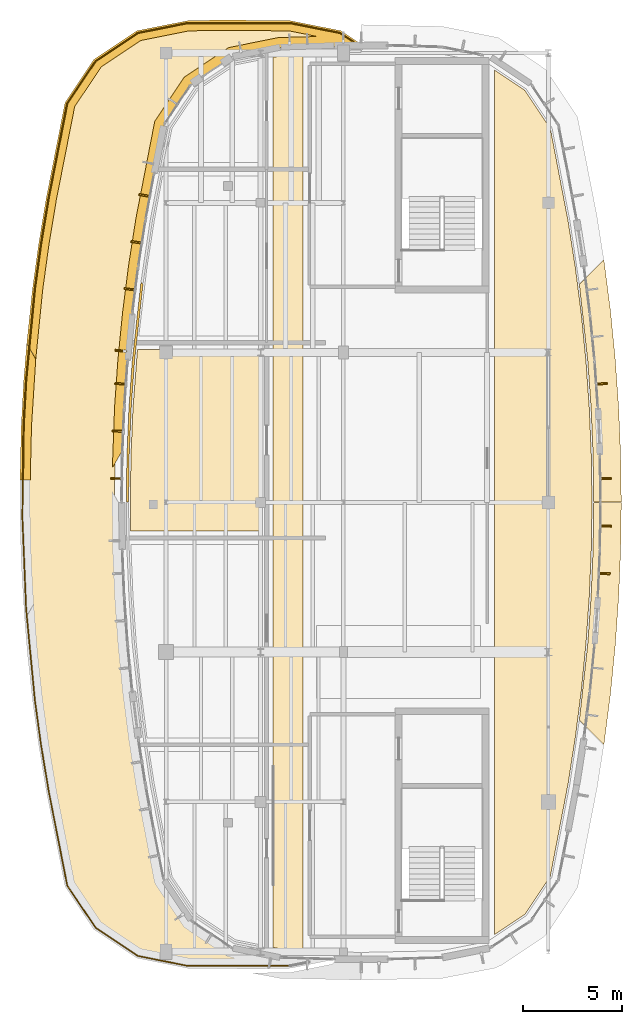
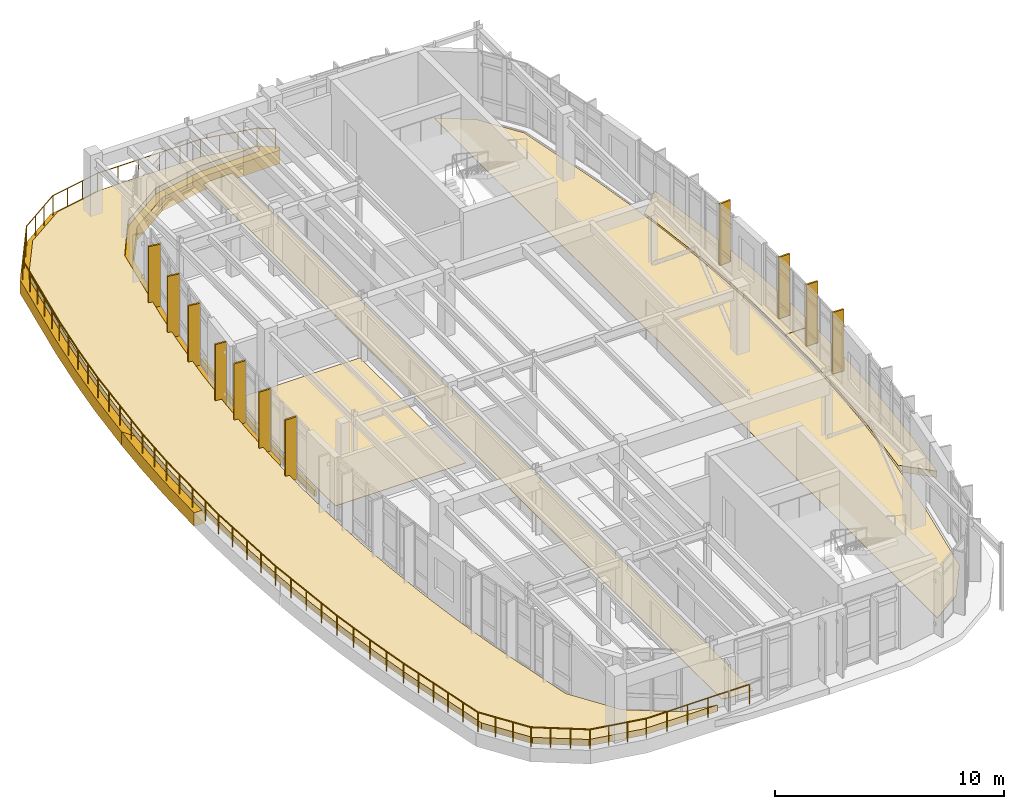
# One storey, part 19 of 20: 20 coverings, 1 railing, 1 shading device.
"""IFC4 building model written with IfcOpenShell, lengths in metres."""

from ifc_helpers import new_model, si_unit, direction, frame, origin, origin_2d, place, context, subcontext, project, spatial, polyline, rectangle, circle, outline, extrude, material, layer, layer_set, type_object, element, save


model = new_model("IFC4")

# Units and contexts
model_context = context("Model", 3, precision=1e-05, world=origin(), true_north=direction((0.0, 1.0)))
body_context = subcontext(model_context, "Body", "Model", "MODEL_VIEW")
ifc_project = project(units=[si_unit("LENGTHUNIT", "METRE"), si_unit("AREAUNIT", "SQUARE_METRE"), si_unit("VOLUMEUNIT", "CUBIC_METRE"), si_unit("PLANEANGLEUNIT", "RADIAN"), si_unit("MASSUNIT", "GRAM", prefix="KILO")], contexts=[model_context])

# Site, building, storey
site_placement = place(None, origin())
site = spatial("IfcSite", under=ifc_project, at=site_placement, CompositionType="ELEMENT")
building_placement = place(site_placement, origin())
building = spatial("IfcBuilding", under=site, at=building_placement, Name="Corveleigh Park Community Centre", CompositionType="ELEMENT")
storey_placement = place(building_placement, frame((0.0, 0.0, 16.199951171875)))
storey = spatial("IfcBuildingStorey", under=building, at=storey_placement, Name="L04", CompositionType="ELEMENT", Elevation=16.199951171875)

# Coverings
ifc_material_1 = material(Name="Warm buff ribbed architectural cladding", Category="masonry")
ifc_layer_1 = layer(ifc_material_1, 0.0849609375, Name="Warm buff ribbed architectural cladding", Category="masonry")
ifc_layer_set_1 = layer_set([ifc_layer_1], Name="Warm buff ribbed architectural cladding")
covering_type_1 = type_object("IfcCoveringType", Name="COV-CLD-BUF", PredefinedType="CLADDING", material=ifc_layer_set_1)
covering_1_placement = place(storey_placement, origin())
element("IfcCovering", 1, at=covering_1_placement, inside=storey, type_object=covering_type_1, Name="V4 L04 Brise-soleil blade 495", PredefinedType="CLADDING", context=body_context, shape_type="SweptSolid", body=[
    extrude(outline(polyline([(170.949951171875, 77.843017578125), (170.946044921875, 77.758056640625), (171.52587890625, 77.73291015625), (171.529052734375, 77.818115234375), (170.949951171875, 77.843017578125)])), origin(), (0.0, 0.0, 1.0), 3.31201171875),
])
covering_2_placement = place(storey_placement, origin())
element("IfcCovering", 2, at=covering_2_placement, inside=storey, type_object=covering_type_1, Name="V4 L04 Brise-soleil blade 496", PredefinedType="CLADDING", context=body_context, shape_type="SweptSolid", body=[
    extrude(outline(polyline([(171.01708984375, 80.241943359375), (171.014892578125, 80.156982421875), (171.594970703125, 80.14892578125), (171.596923828125, 80.23388671875), (171.01708984375, 80.241943359375)])), origin(), (0.0, 0.0, 1.0), 3.31201171875),
])
covering_3_placement = place(storey_placement, origin())
element("IfcCovering", 3, at=covering_3_placement, inside=storey, type_object=covering_type_1, Name="V4 L04 Brise-soleil blade 497", PredefinedType="CLADDING", context=body_context, shape_type="SweptSolid", body=[
    extrude(outline(polyline([(171.014892578125, 82.64306640625), (171.01708984375, 82.55810546875), (171.596923828125, 82.56591796875), (171.594970703125, 82.65087890625), (171.014892578125, 82.64306640625)])), origin(), (0.0, 0.0, 1.0), 3.31201171875),
])
covering_4_placement = place(storey_placement, origin())
element("IfcCovering", 4, at=covering_4_placement, inside=storey, type_object=covering_type_1, Name="V4 L04 Brise-soleil blade 498", PredefinedType="CLADDING", context=body_context, shape_type="SweptSolid", body=[
    extrude(outline(polyline([(170.81005859375, 87.43798828125), (170.81591796875, 87.35400390625), (171.39404296875, 87.39404296875), (171.387939453125, 87.47900390625), (170.81005859375, 87.43798828125)])), origin(), (0.0, 0.0, 1.0), 3.31201171875),
])
covering_5_placement = place(storey_placement, origin())
element("IfcCovering", 5, at=covering_5_placement, inside=storey, type_object=covering_type_1, Name="V4 L04 Brise-soleil blade 514", PredefinedType="CLADDING", context=body_context, shape_type="SweptSolid", body=[
    extrude(outline(polyline([(148.194091796875, 96.875), (148.208984375, 96.958984375), (147.638916015625, 97.06396484375), (147.6240234375, 96.98095703125), (148.194091796875, 96.875)])), origin(), (0.0, 0.0, 1.0), 3.337158203125),
])
covering_6_placement = place(storey_placement, origin())
element("IfcCovering", 6, at=covering_6_placement, inside=storey, type_object=covering_type_1, Name="V4 L04 Brise-soleil blade 515", PredefinedType="CLADDING", context=body_context, shape_type="SweptSolid", body=[
    extrude(outline(polyline([(147.791015625, 94.508056640625), (147.803955078125, 94.592041015625), (147.23095703125, 94.681884765625), (147.218017578125, 94.597900390625), (147.791015625, 94.508056640625)])), origin(), (0.0, 0.0, 1.0), 3.337158203125),
])
covering_7_placement = place(storey_placement, origin())
element("IfcCovering", 7, at=covering_7_placement, inside=storey, type_object=covering_type_1, Name="V4 L04 Brise-soleil blade 516", PredefinedType="CLADDING", context=body_context, shape_type="SweptSolid", body=[
    extrude(outline(polyline([(147.4541015625, 92.131103515625), (147.465087890625, 92.216064453125), (146.889892578125, 92.2890625), (146.87890625, 92.205078125), (147.4541015625, 92.131103515625)])), origin(), (0.0, 0.0, 1.0), 3.337158203125),
])
covering_8_placement = place(storey_placement, origin())
element("IfcCovering", 8, at=covering_8_placement, inside=storey, type_object=covering_type_1, Name="V4 L04 Brise-soleil blade 517", PredefinedType="CLADDING", context=body_context, shape_type="SweptSolid", body=[
    extrude(outline(polyline([(146.958984375, 89.02294921875), (146.967041015625, 89.10693359375), (146.43505859375, 89.159912109375), (146.426025390625, 89.074951171875), (146.958984375, 89.02294921875)])), origin(), (0.0, 0.0, 1.0), 3.337158203125),
])
covering_9_placement = place(storey_placement, origin())
element("IfcCovering", 9, at=covering_9_placement, inside=storey, type_object=covering_type_1, Name="V4 L04 Brise-soleil blade 518", PredefinedType="CLADDING", context=body_context, shape_type="SweptSolid", body=[
    extrude(outline(polyline([(146.98388671875, 87.35400390625), (146.989990234375, 87.43798828125), (146.412109375, 87.47900390625), (146.406005859375, 87.39404296875), (146.98388671875, 87.35400390625)])), origin(), (0.0, 0.0, 1.0), 3.337158203125),
])
covering_10_placement = place(storey_placement, origin())
element("IfcCovering", 10, at=covering_10_placement, inside=storey, type_object=covering_type_1, Name="V4 L04 Brise-soleil blade 519", PredefinedType="CLADDING", context=body_context, shape_type="SweptSolid", body=[
    extrude(outline(polyline([(146.85009765625, 84.95703125), (146.85400390625, 85.0419921875), (146.27392578125, 85.06689453125), (146.27099609375, 84.98193359375), (146.85009765625, 84.95703125)])), origin(), (0.0, 0.0, 1.0), 3.337158203125),
])
covering_11_placement = place(storey_placement, origin())
element("IfcCovering", 11, at=covering_11_placement, inside=storey, type_object=covering_type_1, Name="V4 L04 Brise-soleil blade 520", PredefinedType="CLADDING", context=body_context, shape_type="SweptSolid", body=[
    extrude(outline(polyline([(146.782958984375, 82.55810546875), (146.784912109375, 82.64306640625), (146.205078125, 82.65087890625), (146.202880859375, 82.56591796875), (146.782958984375, 82.55810546875)])), origin(), (0.0, 0.0, 1.0), 3.337158203125),
])
ifc_material_2 = material(Name="White architectural fascia cladding", Category="masonry")
ifc_layer_2 = layer(ifc_material_2, 0.074951171875, Name="White architectural fascia cladding", Category="masonry")
ifc_layer_set_2 = layer_set([ifc_layer_2], Name="White architectural fascia cladding")
covering_type_2 = type_object("IfcCoveringType", Name="COV-CLD-WHT", PredefinedType="CLADDING", material=ifc_layer_set_2)
covering_12_placement = place(storey_placement, frame((0.0, 0.0, -0.679931640625)))
element("IfcCovering", 12, at=covering_12_placement, inside=storey, type_object=covering_type_2, Name="Step 4 STEM and Language Terrace Sweeping White Edge Band 1", PredefinedType="CLADDING", context=body_context, shape_type="SweptSolid", body=[
    extrude(outline(polyline([(141.93310546875, 89.468017578125), (142.222900390625, 92.23388671875), (142.541015625, 94.5380859375), (142.919921875, 96.8310546875), (143.87109375, 101.674072265625), (145.3330078125, 103.866943359375), (147.51904296875, 105.326904296875), (150.094970703125, 105.840087890625), (151.83203125, 105.875), (155.31201171875, 105.839111328125), (157.881103515625, 105.326904296875), (158.737060546875, 104.756103515625), (158.62109375, 104.554931640625), (154.802001953125, 104.47509765625), (152.364013671875, 103.989990234375), (150.2919921875, 102.60400390625), (148.909912109375, 100.537109375), (147.987060546875, 95.735107421875), (147.616943359375, 93.363037109375), (147.31298828125, 90.98193359375), (147.076904296875, 88.593017578125), (146.907958984375, 86.198974609375), (146.818115234375, 84.087890625), (146.277099609375, 83.14892578125), (146.388916015625, 86.235107421875), (146.55908203125, 88.64306640625), (146.797119140625, 91.047119140625), (147.10107421875, 93.429931640625), (147.47412109375, 95.81591796875), (148.427978515625, 100.73388671875), (149.924072265625, 102.971923828125), (152.1640625, 104.470947265625), (154.7041015625, 104.986083984375), (156.68896484375, 105.034912109375), (155.25390625, 105.320068359375), (151.833984375, 105.35498046875), (150.14794921875, 105.321044921875), (147.720947265625, 104.837890625), (145.70703125, 103.492919921875), (144.363037109375, 101.47900390625), (143.430908203125, 96.738037109375), (143.054931640625, 94.458984375), (142.739013671875, 92.169921875), (142.389892578125, 88.676025390625), (141.93310546875, 89.468017578125)])), origin(), (0.0, 0.0, 1.0), 0.719970703125),
])
covering_13_placement = place(storey_placement, frame((0.0, 0.0, -0.679931640625)))
element("IfcCovering", 13, at=covering_13_placement, inside=storey, type_object=covering_type_2, Name="Step 4 STEM and Language Terrace Sweeping White Edge Band 2", PredefinedType="CLADDING", context=body_context, shape_type="SweptSolid", body=[
    extrude(outline(polyline([(141.590087890625, 82.5439453125), (141.653076171875, 85.285888671875), (141.780029296875, 87.60595703125), (141.931884765625, 89.4541015625), (142.388916015625, 88.6630859375), (142.173095703125, 85.263916015625), (142.110107421875, 82.5439453125), (141.590087890625, 82.5439453125)])), origin(), (0.0, 0.0, 1.0), 0.719970703125),
])
covering_14_placement = place(storey_placement, frame((0.0, 0.0, -0.300048828125)))
element("IfcCovering", 14, at=covering_14_placement, inside=storey, type_object=covering_type_2, Name="V4 L04 Horizontal Sun-Hood 1", PredefinedType="CLADDING", context=body_context, shape_type="SweptSolid", body=[
    extrude(outline(polyline([(171.218017578125, 93.7060546875), (171.553955078125, 91.117919921875), (171.794921875, 88.6689453125), (171.966064453125, 86.2451171875), (172.068115234375, 83.845947265625), (172.10302734375, 81.406982421875), (170.702880859375, 81.406005859375), (170.6689453125, 83.791015625), (170.568115234375, 86.179931640625), (170.39892578125, 88.56494140625), (169.970947265625, 92.4599609375), (171.218017578125, 93.7060546875)])), origin(), (0.0, 0.0, 1.0), 0.340087890625),
])
covering_15_placement = place(storey_placement, frame((0.0, 0.0, -0.300048828125)))
element("IfcCovering", 15, at=covering_15_placement, inside=storey, type_object=covering_type_2, Name="V4 L04 Horizontal Sun-Hood 4", PredefinedType="CLADDING", context=body_context, shape_type="SweptSolid", body=[
    extrude(outline(polyline([(147.01611328125, 83.794921875), (147.117919921875, 86.18701171875), (147.285888671875, 88.574951171875), (147.72607421875, 92.56298828125), (147.8291015625, 92.4599609375), (147.40087890625, 88.56494140625), (147.23193359375, 86.179931640625), (147.131103515625, 83.791015625), (147.096923828125, 81.406005859375), (146.98193359375, 81.406005859375), (147.01611328125, 83.794921875)])), origin(), (0.0, 0.0, 1.0), 0.340087890625),
])
covering_16_placement = place(storey_placement, frame((0.0, 0.0, -0.300048828125)))
element("IfcCovering", 16, at=covering_16_placement, inside=storey, type_object=covering_type_2, Name="V4 L04 Horizontal Sun-Hood 8", PredefinedType="CLADDING", context=body_context, shape_type="SweptSolid", body=[
    extrude(outline(polyline([(172.10302734375, 81.385009765625), (172.068115234375, 78.9541015625), (171.966064453125, 76.554931640625), (171.794921875, 74.131103515625), (171.553955078125, 71.681884765625), (171.218017578125, 69.093994140625), (169.970947265625, 70.340087890625), (170.39892578125, 74.235107421875), (170.568115234375, 76.6201171875), (170.6689453125, 79.009033203125), (170.702880859375, 81.39404296875), (172.10302734375, 81.385009765625)])), origin(), (0.0, 0.0, 1.0), 0.340087890625),
])
ifc_material_3 = material(Name="Acoustic linoleum flooring", Category="wood")
ifc_layer_3 = layer(ifc_material_3, 0.02490234375, Name="Acoustic linoleum flooring", Category="wood")
ifc_layer_set_3 = layer_set([ifc_layer_3], Name="Acoustic linoleum flooring")
covering_type_3 = type_object("IfcCoveringType", Name="COV-FLR-LIN", PredefinedType="FLOORING", material=ifc_layer_set_3)
covering_17_placement = place(storey_placement, origin())
element("IfcCovering", 17, at=covering_17_placement, inside=storey, type_object=covering_type_3, Name="Fourth Floor Learning Concourse flooring", PredefinedType="FLOORING", context=body_context, shape_type="SweptSolid", body=[
    extrude(outline(polyline([(154.43994140625, 58.820068359375), (154.43994140625, 103.97998046875), (154.85009765625, 104.06103515625), (155.9599609375, 104.095947265625), (155.9599609375, 58.7041015625), (154.85009765625, 58.739013671875), (154.43994140625, 58.820068359375)])), origin(), (0.0, 0.0, 1.0), 0.025146484375),
])
covering_18_placement = place(storey_placement, origin())
element("IfcCovering", 18, at=covering_18_placement, inside=storey, type_object=covering_type_3, Name="Citizens Advice Consultation Suite flooring", PredefinedType="FLOORING", context=body_context, shape_type="SweptSolid", body=[
    extrude(outline(polyline([(147.322021484375, 86.175048828125), (147.550048828125, 89.159912109375), (153.760009765625, 89.159912109375), (153.760009765625, 79.93994140625), (147.2080078125, 79.93994140625), (147.18701171875, 81.39990234375), (147.220947265625, 83.7890625), (147.322021484375, 86.175048828125)])), origin(), (0.0, 0.0, 1.0), 0.025146484375),
])
covering_19_placement = place(storey_placement, origin())
element("IfcCovering", 19, at=covering_19_placement, inside=storey, type_object=covering_type_3, Name="Parkside Digital Study Library flooring", PredefinedType="FLOORING", context=body_context, shape_type="SweptSolid", body=[
    extrude(outline(polyline([(170.074951171875, 90.93603515625), (170.31005859375, 88.55810546875), (170.47802734375, 86.175048828125), (170.5791015625, 83.7890625), (170.613037109375, 81.39990234375), (170.5791015625, 79.010986328125), (170.47802734375, 76.625), (170.31005859375, 74.241943359375), (170.074951171875, 71.864013671875), (169.77197265625, 69.4951171875), (169.403076171875, 67.135009765625), (168.4990234375, 62.423095703125), (167.2080078125, 60.491943359375), (165.659912109375, 59.45703125), (165.659912109375, 103.343017578125), (167.2080078125, 102.30810546875), (168.4990234375, 100.376953125), (169.403076171875, 95.6650390625), (169.77197265625, 93.304931640625), (170.074951171875, 90.93603515625)])), origin(), (0.0, 0.0, 1.0), 0.025146484375),
])
ifc_material_4 = material(Name="Extensive sedum roof build-up", Category="masonry")
ifc_layer_4 = layer(ifc_material_4, 0.35009765625, Name="Extensive sedum roof build-up", Category="masonry")
ifc_layer_set_4 = layer_set([ifc_layer_4], Name="Extensive sedum roof build-up")
covering_type_4 = type_object("IfcCoveringType", Name="COV-ROF-GRN", PredefinedType="ROOFING", material=ifc_layer_set_4)
covering_20_placement = place(storey_placement, origin())
element("IfcCovering", 20, at=covering_20_placement, inside=storey, type_object=covering_type_4, Name="Step 4 STEM and Language Terrace sedum build-up", PredefinedType="ROOFING", context=body_context, shape_type="SweptSolid", body=[
    extrude(outline(polyline([(153.8330078125, 58.1201171875), (150.132080078125, 58.14990234375), (147.6708984375, 58.639892578125), (145.613037109375, 60.012939453125), (144.239990234375, 62.070068359375), (143.302978515625, 66.839111328125), (142.926025390625, 69.12109375), (142.610107421875, 71.4140625), (142.35791015625, 73.712890625), (142.1689453125, 76.02001953125), (142.04296875, 78.330078125), (141.97998046875, 80.64306640625), (141.97998046875, 82.95703125), (142.04296875, 85.27001953125), (142.1689453125, 87.580078125), (142.35791015625, 89.886962890625), (142.610107421875, 92.18603515625), (142.926025390625, 94.47900390625), (143.302978515625, 96.760986328125), (144.239990234375, 101.530029296875), (145.613037109375, 103.5869140625), (147.6708984375, 104.9599609375), (150.134033203125, 105.450927734375), (151.833984375, 105.485107421875), (155.26806640625, 105.449951171875), (157.778076171875, 104.927978515625), (154.760009765625, 104.863037109375), (152.24609375, 104.363037109375), (149.971923828125, 102.826904296875), (148.528076171875, 100.617919921875), (147.60400390625, 95.80810546875), (147.23095703125, 93.423095703125), (146.926025390625, 91.030029296875), (146.68798828125, 88.62109375), (146.51806640625, 86.216064453125), (146.416015625, 83.81689453125), (146.382080078125, 81.405029296875), (146.416015625, 78.98388671875), (146.51904296875, 76.573974609375), (146.68896484375, 74.169921875), (146.925048828125, 71.780029296875), (147.22998046875, 69.386962890625), (147.60400390625, 66.991943359375), (148.529052734375, 62.180908203125), (150.0419921875, 59.89306640625), (152.2099609375, 58.450927734375), (153.8330078125, 58.1201171875)])), origin(), (0.0, 0.0, 1.0), 0.35009765625),
])

# Railing
ifc_material_5 = material(Name="Stainless steel 316 balustrade", Category="steel")
railing_type = type_object("IfcRailingType", Name="RLG-BAL-EXT-1100", PredefinedType="BALUSTRADE", material=ifc_material_5)
railing_placement = place(storey_placement, frame((155.294921875, 57.8798828125, 0.0)))
element("IfcRailing", 21, at=railing_placement, inside=storey, type_object=railing_type, Name="Step 4 STEM and Language Terrace guard 15", PredefinedType="BALUSTRADE", context=body_context, shape_type="SweptSolid", body=[
    extrude(circle(Radius=0.02392578125, at=origin_2d()), frame((0.0, 0.0, 1.076171875), z_axis=(-1.0, 0.0, 0.0), x_axis=(0.0, -1.0, 0.0)), (0.0, 0.0, 1.0), 5.19091796875),
    extrude(circle(Radius=0.02392578125, at=origin_2d()), frame((-5.19091796875, 0.0, 1.076171875), z_axis=(-0.980779661276, 0.195118569152, 0.0), x_axis=(-0.195118569152, -0.980779661276, 0.0)), (0.0, 0.0, 1.0), 2.5888671875),
    extrude(circle(Radius=0.02392578125, at=origin_2d()), frame((-7.72998046875, 0.505126953125, 1.076171875), z_axis=(-0.831438597853, 0.55561664662, 0.0), x_axis=(-0.55561664662, -0.831438597853, 0.0)), (0.0, 0.0, 1.0), 2.5810546875),
    extrude(circle(Radius=0.02392578125, at=origin_2d()), frame((-9.8759765625, 1.939208984375, 1.076171875), z_axis=(-0.55555125292, 0.831482294086, 0.0), x_axis=(-0.831482294086, -0.55555125292, 0.0)), (0.0, 0.0, 1.0), 2.580810546875),
    extrude(circle(Radius=0.02392578125, at=origin_2d()), frame((-11.309814453125, 4.085205078125, 1.076171875), z_axis=(-0.192563496463, 0.98128451523, 0.0), x_axis=(-0.98128451523, -0.192563496463, 0.0)), (0.0, 0.0, 1.0), 4.91796875),
    extrude(circle(Radius=0.02392578125, at=origin_2d()), frame((-12.2568359375, 8.9111328125, 1.076171875), z_axis=(-0.163341427578, 0.986569601213, 0.0), x_axis=(-0.986569601213, -0.163341427578, 0.0)), (0.0, 0.0, 1.0), 2.3212890625),
    extrude(circle(Radius=0.02392578125, at=origin_2d()), frame((-12.635986328125, 11.201171875, 1.076171875), z_axis=(-0.136487948968, 0.990641731297, 0.0), x_axis=(-0.990641731297, -0.136487948968, 0.0)), (0.0, 0.0, 1.0), 2.32177734375),
    extrude(circle(Radius=0.02392578125, at=origin_2d()), frame((-12.952880859375, 13.501220703125, 1.076171875), z_axis=(-0.095268345248, 0.99545162735, 0.0), x_axis=(-0.99545162735, -0.095268345248, 0.0)), (0.0, 0.0, 1.0), 4.640869140625),
    extrude(circle(Radius=0.02392578125, at=origin_2d()), frame((-13.39501953125, 18.12109375, 1.076171875), z_axis=(-0.040919533732, 0.99916244513, 0.0), x_axis=(-0.99916244513, -0.040919533732, 0.0)), (0.0, 0.0, 1.0), 4.641845703125),
    extrude(circle(Radius=0.02392578125, at=origin_2d()), frame((-13.5849609375, 22.759033203125, 1.076171875), z_axis=(0.013567700235, 0.999907954519, 0.0), x_axis=(-0.999907954519, 0.013567700235, 0.0)), (0.0, 0.0, 1.0), 4.642578125),
    extrude(circle(Radius=0.02392578125, at=origin_2d()), frame((-13.52197265625, 27.401123046875, 1.076171875), z_axis=(0.054683721691, 0.998503725873, 0.0), x_axis=(-0.998503725873, 0.054683721691, 0.0)), (0.0, 0.0, 1.0), 2.321533203125),
    extrude(circle(Radius=0.02392578125, at=origin_2d()), frame((-13.39501953125, 29.71923828125, 1.076171875), z_axis=(0.095268345248, 0.99545162735, 0.0), x_axis=(-0.99545162735, 0.095268345248, 0.0)), (0.0, 0.0, 1.0), 4.640869140625),
    extrude(circle(Radius=0.02392578125, at=origin_2d()), frame((-12.952880859375, 34.339111328125, 1.076171875), z_axis=(0.136487948968, 0.990641731297, 0.0), x_axis=(-0.990641731297, 0.136487948968, 0.0)), (0.0, 0.0, 1.0), 2.32177734375),
    extrude(circle(Radius=0.02392578125, at=origin_2d()), frame((-12.635986328125, 36.63916015625, 1.076171875), z_axis=(0.163341427578, 0.986569601213, 0.0), x_axis=(-0.986569601213, 0.163341427578, 0.0)), (0.0, 0.0, 1.0), 2.3212890625),
    extrude(circle(Radius=0.02392578125, at=origin_2d()), frame((-12.2568359375, 38.92919921875, 1.076171875), z_axis=(0.192563496463, 0.98128451523, 0.0), x_axis=(-0.98128451523, 0.192563496463, 0.0)), (0.0, 0.0, 1.0), 4.91796875),
    extrude(circle(Radius=0.02392578125, at=origin_2d()), frame((-11.309814453125, 43.755126953125, 1.076171875), z_axis=(0.55555125292, 0.831482294086, 0.0), x_axis=(-0.831482294086, 0.55555125292, 0.0)), (0.0, 0.0, 1.0), 2.580810546875),
    extrude(circle(Radius=0.02392578125, at=origin_2d()), frame((-9.8759765625, 45.901123046875, 1.076171875), z_axis=(0.831438597853, 0.55561664662, 0.0), x_axis=(-0.55561664662, 0.831438597853, 0.0)), (0.0, 0.0, 1.0), 2.5810546875),
    extrude(circle(Radius=0.02392578125, at=origin_2d()), frame((-7.72998046875, 47.335205078125, 1.076171875), z_axis=(0.980812044848, 0.194955719795, 0.0), x_axis=(-0.194955719795, 0.980812044848, 0.0)), (0.0, 0.0, 1.0), 2.58984375),
    extrude(circle(Radius=0.02392578125, at=origin_2d()), frame((-5.18994140625, 47.840087890625, 1.076171875), z_axis=(1.0, 0.0, 0.0), x_axis=(0.0, 1.0, 0.0)), (0.0, 0.0, 1.0), 5.19091796875),
    extrude(circle(Radius=0.02392578125, at=origin_2d()), frame((0.0009765625, 47.840087890625, 1.076171875), z_axis=(0.980797704543, -0.19502785125, 0.0), x_axis=(0.19502785125, 0.980797704543, 0.0)), (0.0, 0.0, 1.0), 2.5888671875),
    extrude(circle(Radius=0.02392578125, at=origin_2d()), frame((2.5400390625, 47.335205078125, 1.076171875), z_axis=(0.831538782515, -0.555466698527, 0.0), x_axis=(0.555466698527, 0.831538782515, 0.0)), (0.0, 0.0, 1.0), 0.808349609375),
    extrude(circle(Radius=0.02099609375, at=origin_2d()), origin(), (0.0, 0.0, 1.0), 1.052001953125),
    extrude(circle(Radius=0.02099609375, at=origin_2d()), frame((-1.0380859375, 0.0, 0.0)), (0.0, 0.0, 1.0), 1.052001953125),
    extrude(circle(Radius=0.02099609375, at=origin_2d()), frame((-2.076416015625, 0.0, 0.0)), (0.0, 0.0, 1.0), 1.052001953125),
    extrude(circle(Radius=0.02099609375, at=origin_2d()), frame((-3.114501953125, 0.0, 0.0)), (0.0, 0.0, 1.0), 1.052001953125),
    extrude(circle(Radius=0.02099609375, at=origin_2d()), frame((-4.15283203125, 0.0, 0.0)), (0.0, 0.0, 1.0), 1.052001953125),
    extrude(circle(Radius=0.02099609375, at=origin_2d()), frame((-5.19091796875, 0.0, 0.0)), (0.0, 0.0, 1.0), 1.052001953125),
    extrude(circle(Radius=0.02099609375, at=origin_2d()), frame((-6.037353515625, 0.16845703125, 0.0)), (0.0, 0.0, 1.0), 1.052001953125),
    extrude(circle(Radius=0.02099609375, at=origin_2d()), frame((-6.883544921875, 0.336669921875, 0.0)), (0.0, 0.0, 1.0), 1.052001953125),
    extrude(circle(Radius=0.02099609375, at=origin_2d()), frame((-7.72998046875, 0.505126953125, 0.0)), (0.0, 0.0, 1.0), 1.052001953125),
    extrude(circle(Radius=0.02099609375, at=origin_2d()), frame((-8.4453125, 0.983154296875, 0.0)), (0.0, 0.0, 1.0), 1.052001953125),
    extrude(circle(Radius=0.02099609375, at=origin_2d()), frame((-9.16064453125, 1.461181640625, 0.0)), (0.0, 0.0, 1.0), 1.052001953125),
    extrude(circle(Radius=0.02099609375, at=origin_2d()), frame((-9.8759765625, 1.939208984375, 0.0)), (0.0, 0.0, 1.0), 1.052001953125),
    extrude(circle(Radius=0.02099609375, at=origin_2d()), frame((-10.35400390625, 2.654541015625, 0.0)), (0.0, 0.0, 1.0), 1.052001953125),
    extrude(circle(Radius=0.02099609375, at=origin_2d()), frame((-10.831787109375, 3.369873046875, 0.0)), (0.0, 0.0, 1.0), 1.052001953125),
    extrude(circle(Radius=0.02099609375, at=origin_2d()), frame((-11.309814453125, 4.085205078125, 0.0)), (0.0, 0.0, 1.0), 1.052001953125),
    extrude(circle(Radius=0.02099609375, at=origin_2d()), frame((-11.499267578125, 5.05029296875, 0.0)), (0.0, 0.0, 1.0), 1.052001953125),
    extrude(circle(Radius=0.02099609375, at=origin_2d()), frame((-11.688720703125, 6.015625, 0.0)), (0.0, 0.0, 1.0), 1.052001953125),
    extrude(circle(Radius=0.02099609375, at=origin_2d()), frame((-11.8779296875, 6.980712890625, 0.0)), (0.0, 0.0, 1.0), 1.052001953125),
    extrude(circle(Radius=0.02099609375, at=origin_2d()), frame((-12.0673828125, 7.946044921875, 0.0)), (0.0, 0.0, 1.0), 1.052001953125),
    extrude(circle(Radius=0.02099609375, at=origin_2d()), frame((-12.2568359375, 8.9111328125, 0.0)), (0.0, 0.0, 1.0), 1.052001953125),
    extrude(circle(Radius=0.02099609375, at=origin_2d()), frame((-12.4462890625, 10.05615234375, 0.0)), (0.0, 0.0, 1.0), 1.052001953125),
    extrude(circle(Radius=0.02099609375, at=origin_2d()), frame((-12.635986328125, 11.201171875, 0.0)), (0.0, 0.0, 1.0), 1.052001953125),
    extrude(circle(Radius=0.02099609375, at=origin_2d()), frame((-12.79443359375, 12.35107421875, 0.0)), (0.0, 0.0, 1.0), 1.052001953125),
    extrude(circle(Radius=0.02099609375, at=origin_2d()), frame((-12.952880859375, 13.501220703125, 0.0)), (0.0, 0.0, 1.0), 1.052001953125),
    extrude(circle(Radius=0.02099609375, at=origin_2d()), frame((-13.0634765625, 14.65625, 0.0)), (0.0, 0.0, 1.0), 1.052001953125),
    extrude(circle(Radius=0.02099609375, at=origin_2d()), frame((-13.173828125, 15.81103515625, 0.0)), (0.0, 0.0, 1.0), 1.052001953125),
    extrude(circle(Radius=0.02099609375, at=origin_2d()), frame((-13.284423828125, 16.966064453125, 0.0)), (0.0, 0.0, 1.0), 1.052001953125),
    extrude(circle(Radius=0.02099609375, at=origin_2d()), frame((-13.39501953125, 18.12109375, 0.0)), (0.0, 0.0, 1.0), 1.052001953125),
    extrude(circle(Radius=0.02099609375, at=origin_2d()), frame((-13.4423828125, 19.280517578125, 0.0)), (0.0, 0.0, 1.0), 1.052001953125),
    extrude(circle(Radius=0.02099609375, at=origin_2d()), frame((-13.489990234375, 20.43994140625, 0.0)), (0.0, 0.0, 1.0), 1.052001953125),
    extrude(circle(Radius=0.02099609375, at=origin_2d()), frame((-13.53759765625, 21.599609375, 0.0)), (0.0, 0.0, 1.0), 1.052001953125),
    extrude(circle(Radius=0.02099609375, at=origin_2d()), frame((-13.5849609375, 22.759033203125, 0.0)), (0.0, 0.0, 1.0), 1.052001953125),
    extrude(circle(Radius=0.02099609375, at=origin_2d()), frame((-13.5693359375, 23.91943359375, 0.0)), (0.0, 0.0, 1.0), 1.052001953125),
    extrude(circle(Radius=0.02099609375, at=origin_2d()), frame((-13.553466796875, 25.080078125, 0.0)), (0.0, 0.0, 1.0), 1.052001953125),
    extrude(circle(Radius=0.02099609375, at=origin_2d()), frame((-13.53759765625, 26.24072265625, 0.0)), (0.0, 0.0, 1.0), 1.052001953125),
    extrude(circle(Radius=0.02099609375, at=origin_2d()), frame((-13.52197265625, 27.401123046875, 0.0)), (0.0, 0.0, 1.0), 1.052001953125),
    extrude(circle(Radius=0.02099609375, at=origin_2d()), frame((-13.45849609375, 28.56005859375, 0.0)), (0.0, 0.0, 1.0), 1.052001953125),
    extrude(circle(Radius=0.02099609375, at=origin_2d()), frame((-13.39501953125, 29.71923828125, 0.0)), (0.0, 0.0, 1.0), 1.052001953125),
    extrude(circle(Radius=0.02099609375, at=origin_2d()), frame((-13.284423828125, 30.874267578125, 0.0)), (0.0, 0.0, 1.0), 1.052001953125),
    extrude(circle(Radius=0.02099609375, at=origin_2d()), frame((-13.173828125, 32.029296875, 0.0)), (0.0, 0.0, 1.0), 1.052001953125),
    extrude(circle(Radius=0.02099609375, at=origin_2d()), frame((-13.0634765625, 33.18408203125, 0.0)), (0.0, 0.0, 1.0), 1.052001953125),
    extrude(circle(Radius=0.02099609375, at=origin_2d()), frame((-12.952880859375, 34.339111328125, 0.0)), (0.0, 0.0, 1.0), 1.052001953125),
    extrude(circle(Radius=0.02099609375, at=origin_2d()), frame((-12.79443359375, 35.4892578125, 0.0)), (0.0, 0.0, 1.0), 1.052001953125),
    extrude(circle(Radius=0.02099609375, at=origin_2d()), frame((-12.635986328125, 36.63916015625, 0.0)), (0.0, 0.0, 1.0), 1.052001953125),
    extrude(circle(Radius=0.02099609375, at=origin_2d()), frame((-12.4462890625, 37.7841796875, 0.0)), (0.0, 0.0, 1.0), 1.052001953125),
    extrude(circle(Radius=0.02099609375, at=origin_2d()), frame((-12.2568359375, 38.92919921875, 0.0)), (0.0, 0.0, 1.0), 1.052001953125),
    extrude(circle(Radius=0.02099609375, at=origin_2d()), frame((-12.0673828125, 39.894287109375, 0.0)), (0.0, 0.0, 1.0), 1.052001953125),
    extrude(circle(Radius=0.02099609375, at=origin_2d()), frame((-11.8779296875, 40.859619140625, 0.0)), (0.0, 0.0, 1.0), 1.052001953125),
    extrude(circle(Radius=0.02099609375, at=origin_2d()), frame((-11.688720703125, 41.82470703125, 0.0)), (0.0, 0.0, 1.0), 1.052001953125),
    extrude(circle(Radius=0.02099609375, at=origin_2d()), frame((-11.499267578125, 42.7900390625, 0.0)), (0.0, 0.0, 1.0), 1.052001953125),
    extrude(circle(Radius=0.02099609375, at=origin_2d()), frame((-11.309814453125, 43.755126953125, 0.0)), (0.0, 0.0, 1.0), 1.052001953125),
    extrude(circle(Radius=0.02099609375, at=origin_2d()), frame((-10.831787109375, 44.470458984375, 0.0)), (0.0, 0.0, 1.0), 1.052001953125),
    extrude(circle(Radius=0.02099609375, at=origin_2d()), frame((-10.35400390625, 45.185791015625, 0.0)), (0.0, 0.0, 1.0), 1.052001953125),
    extrude(circle(Radius=0.02099609375, at=origin_2d()), frame((-9.8759765625, 45.901123046875, 0.0)), (0.0, 0.0, 1.0), 1.052001953125),
    extrude(circle(Radius=0.02099609375, at=origin_2d()), frame((-9.16064453125, 46.379150390625, 0.0)), (0.0, 0.0, 1.0), 1.052001953125),
    extrude(circle(Radius=0.02099609375, at=origin_2d()), frame((-8.4453125, 46.857177734375, 0.0)), (0.0, 0.0, 1.0), 1.052001953125),
    extrude(circle(Radius=0.02099609375, at=origin_2d()), frame((-7.72998046875, 47.335205078125, 0.0)), (0.0, 0.0, 1.0), 1.052001953125),
    extrude(circle(Radius=0.02099609375, at=origin_2d()), frame((-6.88330078125, 47.50341796875, 0.0)), (0.0, 0.0, 1.0), 1.052001953125),
    extrude(circle(Radius=0.02099609375, at=origin_2d()), frame((-6.03662109375, 47.671875, 0.0)), (0.0, 0.0, 1.0), 1.052001953125),
    extrude(circle(Radius=0.02099609375, at=origin_2d()), frame((-5.18994140625, 47.840087890625, 0.0)), (0.0, 0.0, 1.0), 1.052001953125),
    extrude(circle(Radius=0.02099609375, at=origin_2d()), frame((-4.15185546875, 47.840087890625, 0.0)), (0.0, 0.0, 1.0), 1.052001953125),
    extrude(circle(Radius=0.02099609375, at=origin_2d()), frame((-3.113525390625, 47.840087890625, 0.0)), (0.0, 0.0, 1.0), 1.052001953125),
    extrude(circle(Radius=0.02099609375, at=origin_2d()), frame((-2.075439453125, 47.840087890625, 0.0)), (0.0, 0.0, 1.0), 1.052001953125),
    extrude(circle(Radius=0.02099609375, at=origin_2d()), frame((-1.037109375, 47.840087890625, 0.0)), (0.0, 0.0, 1.0), 1.052001953125),
    extrude(circle(Radius=0.02099609375, at=origin_2d()), frame((0.0009765625, 47.840087890625, 0.0)), (0.0, 0.0, 1.0), 1.052001953125),
    extrude(circle(Radius=0.02099609375, at=origin_2d()), frame((0.847412109375, 47.671875, 0.0)), (0.0, 0.0, 1.0), 1.052001953125),
    extrude(circle(Radius=0.02099609375, at=origin_2d()), frame((1.693603515625, 47.50341796875, 0.0)), (0.0, 0.0, 1.0), 1.052001953125),
    extrude(circle(Radius=0.02099609375, at=origin_2d()), frame((2.5400390625, 47.335205078125, 0.0)), (0.0, 0.0, 1.0), 1.052001953125),
    extrude(circle(Radius=0.02099609375, at=origin_2d()), frame((3.212158203125, 46.88623046875, 0.0)), (0.0, 0.0, 1.0), 1.052001953125),
])

# Shading device
ifc_material_6 = material(Name="Terracotta-anodised aluminium fin", Category="masonry")
shading_device_type = type_object("IfcShadingDeviceType", Name="SHD-FIN-TER-450", PredefinedType="USERDEFINED", material=ifc_material_6)
shading_device_placement = place(storey_placement, frame((146.77392578125, 89.083984375, 0.25), z_axis=(0.0, 0.0, 1.0), x_axis=(-0.995169228615, 0.098174367416, 0.0)))
element("IfcShadingDevice", 22, at=shading_device_placement, inside=storey, type_object=shading_device_type, Name="Terracotta brise-soleil fin 118", ObjectType="FIN", PredefinedType="USERDEFINED", context=body_context, shape_type="SweptSolid", body=[
    extrude(rectangle(XDim=0.449951171875, YDim=0.06494140625, at=origin_2d()), origin(), (0.0, 0.0, 1.0), 2.93701171875),
])

save(model, "model.ifc")
